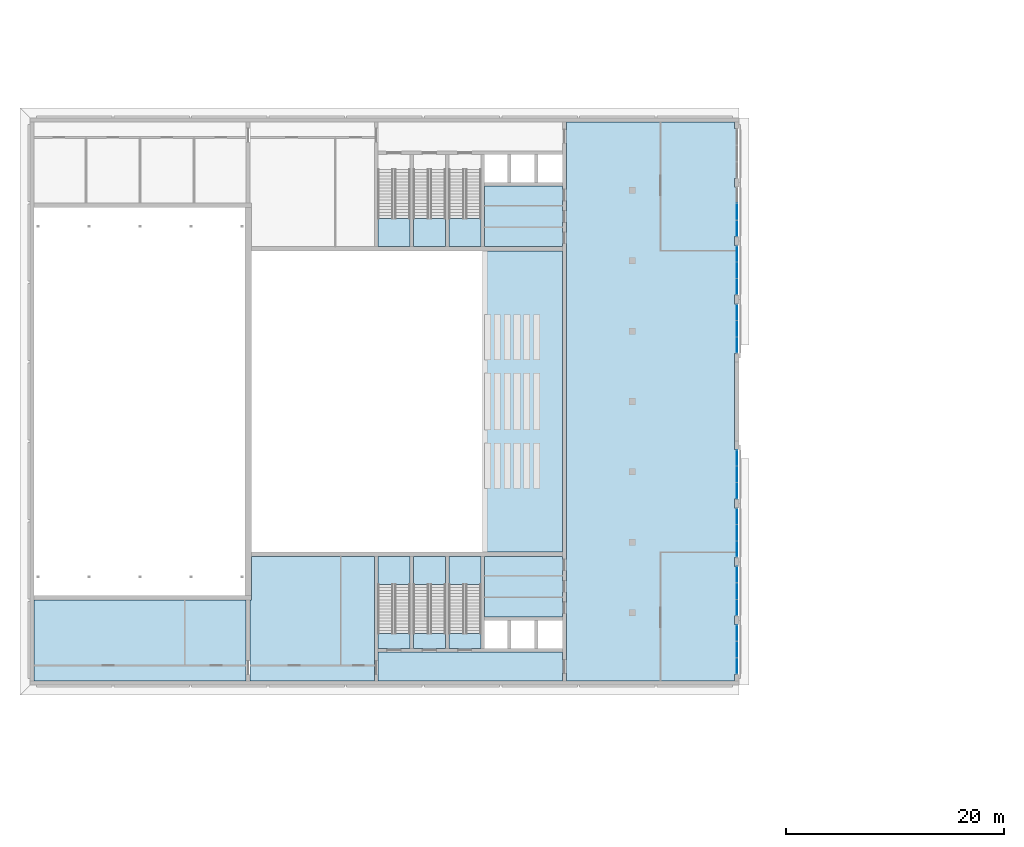
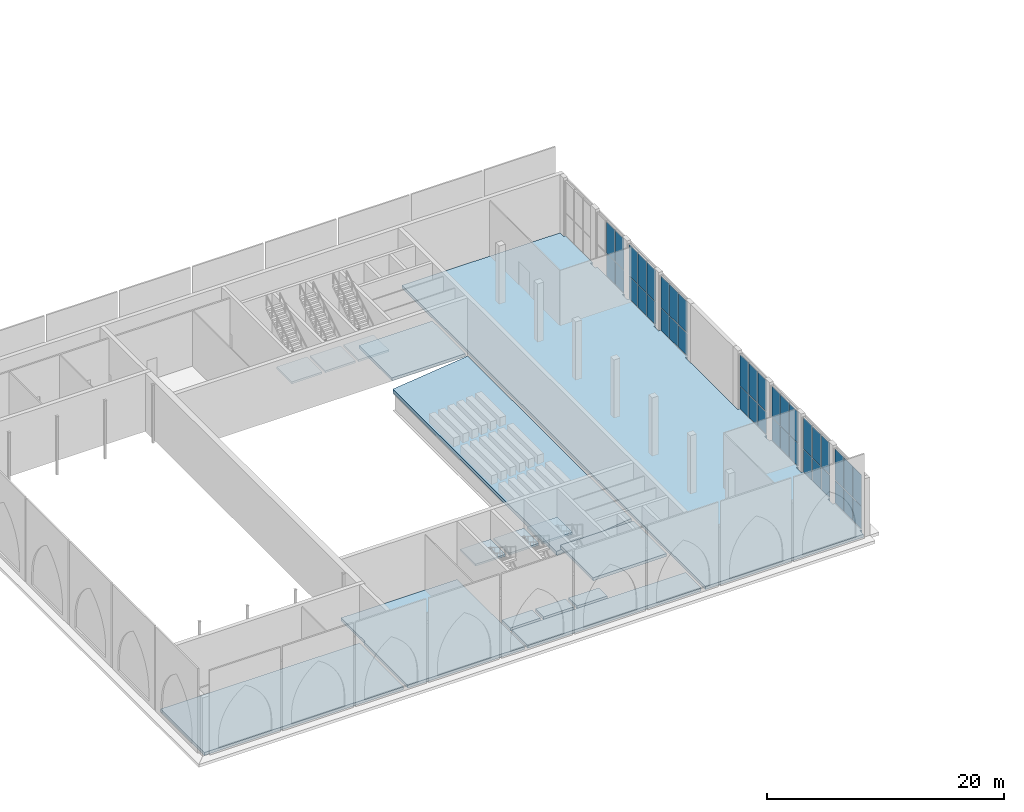
# One storey, part 14 of 74: 40 plates, 16 slabs, 13 elements without a shape of their own.
"""IFC4 building model written with IfcOpenShell, lengths in metres."""

from ifc_helpers import new_model, si_unit, direction, frame, origin, origin_2d, place, context, subcontext, project, spatial, polyline, rectangle, outline, extrude, material, layer, layer_set, type_object, element, aggregate, save


model = new_model("IFC4")

# Units and contexts
model_context = context("Model", 3, precision=1e-05, world=origin(), true_north=direction((0.0, 1.0)))
body_context = subcontext(model_context, "Body", "Model", "MODEL_VIEW")
ifc_project = project(units=[si_unit("LENGTHUNIT", "METRE"), si_unit("AREAUNIT", "SQUARE_METRE"), si_unit("VOLUMEUNIT", "CUBIC_METRE"), si_unit("PLANEANGLEUNIT", "RADIAN"), si_unit("MASSUNIT", "GRAM", prefix="KILO")], contexts=[model_context])

# Site, building, storey
site_placement = place(None, origin())
site = spatial("IfcSite", under=ifc_project, at=site_placement, CompositionType="ELEMENT")
building_placement = place(site_placement, origin())
building = spatial("IfcBuilding", under=site, at=building_placement, Name="Noorbagh Ring Tower", CompositionType="ELEMENT")
storey_placement = place(building_placement, frame((0.0, 0.0, 13.5)))
storey = spatial("IfcBuildingStorey", under=building, at=storey_placement, Name="L02", CompositionType="ELEMENT", Elevation=13.5)

# Curtain wall, plates
ifc_material_1 = material(Name="Aluminium and glass", Category="aluminium")
ifc_layer_1 = layer(ifc_material_1, 0.199951171875)
ifc_layer_set_1 = layer_set([ifc_layer_1], Name="Aluminium and glass")
curtain_wall_type = type_object("IfcCurtainWallType", Name="TH-CW", PredefinedType="NOTDEFINED", material=ifc_layer_set_1)
curtain_wall_1_placement = place(storey_placement, origin())
curtain_wall_1 = element("IfcCurtainWall", 1, at=curtain_wall_1_placement, inside=storey, type_object=curtain_wall_type, Name="Foyer glazing", PredefinedType="NOTDEFINED")
ifc_material_2 = material(Name="Clear laminated glass", Category="glass")
ifc_layer_2 = layer(ifc_material_2, 0.028076171875)
ifc_layer_set_2 = layer_set([ifc_layer_2], Name="Clear laminated glass")
plate_type = type_object("IfcPlateType", Name="TH-CW-PANEL", PredefinedType="CURTAIN_PANEL", material=ifc_layer_set_2)
plate_1_placement = place(storey_placement, frame((-95.199951171875, -19.2265625, 0.06005859375), z_axis=(0.0, 0.0, 1.0), x_axis=(0.0, 1.0, 0.0)))
plate_1 = element("IfcPlate", 2, at=plate_1_placement, type_object=plate_type, Name="CW-T panel 1.1", PredefinedType="CURTAIN_PANEL", context=body_context, shape_type="SweptSolid", body=[
    extrude(rectangle(XDim=1.4267578125, YDim=0.028076171875, at=origin_2d()), origin(), (0.0, 0.0, 1.0), 2.31005859375),
])
plate_2_placement = place(storey_placement, frame((-95.199951171875, -19.2265625, 2.429931640625), z_axis=(0.0, 0.0, 1.0), x_axis=(0.0, 1.0, 0.0)))
plate_2 = element("IfcPlate", 3, at=plate_2_placement, type_object=plate_type, Name="CW-T panel 1.2", PredefinedType="CURTAIN_PANEL", context=body_context, shape_type="SweptSolid", body=[
    extrude(rectangle(XDim=1.4267578125, YDim=0.028076171875, at=origin_2d()), origin(), (0.0, 0.0, 1.0), 3.2099609375),
])
plate_3_placement = place(storey_placement, frame((-95.199951171875, -17.72509765625, 0.06005859375), z_axis=(0.0, 0.0, 1.0), x_axis=(0.0, 1.0, 0.0)))
plate_3 = element("IfcPlate", 4, at=plate_3_placement, type_object=plate_type, Name="CW-T panel 2.1", PredefinedType="CURTAIN_PANEL", context=body_context, shape_type="SweptSolid", body=[
    extrude(rectangle(XDim=1.456787109375, YDim=0.028076171875, at=origin_2d()), origin(), (0.0, 0.0, 1.0), 2.31005859375),
])
plate_4_placement = place(storey_placement, frame((-95.199951171875, -17.72509765625, 2.429931640625), z_axis=(0.0, 0.0, 1.0), x_axis=(0.0, 1.0, 0.0)))
plate_4 = element("IfcPlate", 5, at=plate_4_placement, type_object=plate_type, Name="CW-T panel 2.2", PredefinedType="CURTAIN_PANEL", context=body_context, shape_type="SweptSolid", body=[
    extrude(rectangle(XDim=1.456787109375, YDim=0.028076171875, at=origin_2d()), origin(), (0.0, 0.0, 1.0), 3.2099609375),
])
plate_5_placement = place(storey_placement, frame((-95.199951171875, -16.223388671875, 0.06005859375), z_axis=(0.0, 0.0, 1.0), x_axis=(0.0, 1.0, 0.0)))
plate_5 = element("IfcPlate", 6, at=plate_5_placement, type_object=plate_type, Name="CW-T panel 3.1", PredefinedType="CURTAIN_PANEL", context=body_context, shape_type="SweptSolid", body=[
    extrude(rectangle(XDim=1.4267578125, YDim=0.028076171875, at=origin_2d()), origin(), (0.0, 0.0, 1.0), 2.31005859375),
])
plate_6_placement = place(storey_placement, frame((-95.199951171875, -16.223388671875, 2.429931640625), z_axis=(0.0, 0.0, 1.0), x_axis=(0.0, 1.0, 0.0)))
plate_6 = element("IfcPlate", 7, at=plate_6_placement, type_object=plate_type, Name="CW-T panel 3.2", PredefinedType="CURTAIN_PANEL", context=body_context, shape_type="SweptSolid", body=[
    extrude(rectangle(XDim=1.4267578125, YDim=0.028076171875, at=origin_2d()), origin(), (0.0, 0.0, 1.0), 3.2099609375),
])
aggregate(curtain_wall_1, [plate_1, plate_2, plate_3, plate_4, plate_5, plate_6])

curtain_wall_2_placement = place(storey_placement, origin())
curtain_wall_2 = element("IfcCurtainWall", 8, at=curtain_wall_2_placement, inside=storey, type_object=curtain_wall_type, Name="Foyer glazing", PredefinedType="NOTDEFINED")
plate_7_placement = place(storey_placement, frame((-95.199951171875, -13.876708984375, 0.06005859375), z_axis=(0.0, 0.0, 1.0), x_axis=(0.0, 1.0, 0.0)))
plate_7 = element("IfcPlate", 9, at=plate_7_placement, type_object=plate_type, Name="CW-T panel 1.1", PredefinedType="CURTAIN_PANEL", context=body_context, shape_type="SweptSolid", body=[
    extrude(rectangle(XDim=1.4267578125, YDim=0.028076171875, at=origin_2d()), origin(), (0.0, 0.0, 1.0), 2.31005859375),
])
plate_8_placement = place(storey_placement, frame((-95.199951171875, -13.876708984375, 2.429931640625), z_axis=(0.0, 0.0, 1.0), x_axis=(0.0, 1.0, 0.0)))
plate_8 = element("IfcPlate", 10, at=plate_8_placement, type_object=plate_type, Name="CW-T panel 1.2", PredefinedType="CURTAIN_PANEL", context=body_context, shape_type="SweptSolid", body=[
    extrude(rectangle(XDim=1.4267578125, YDim=0.028076171875, at=origin_2d()), origin(), (0.0, 0.0, 1.0), 3.2099609375),
])
plate_9_placement = place(storey_placement, frame((-95.199951171875, -12.375, 0.06005859375), z_axis=(0.0, 0.0, 1.0), x_axis=(0.0, 1.0, 0.0)))
plate_9 = element("IfcPlate", 11, at=plate_9_placement, type_object=plate_type, Name="CW-T panel 2.1", PredefinedType="CURTAIN_PANEL", context=body_context, shape_type="SweptSolid", body=[
    extrude(rectangle(XDim=1.456787109375, YDim=0.028076171875, at=origin_2d()), origin(), (0.0, 0.0, 1.0), 2.31005859375),
])
plate_10_placement = place(storey_placement, frame((-95.199951171875, -12.375, 2.429931640625), z_axis=(0.0, 0.0, 1.0), x_axis=(0.0, 1.0, 0.0)))
plate_10 = element("IfcPlate", 12, at=plate_10_placement, type_object=plate_type, Name="CW-T panel 2.2", PredefinedType="CURTAIN_PANEL", context=body_context, shape_type="SweptSolid", body=[
    extrude(rectangle(XDim=1.456787109375, YDim=0.028076171875, at=origin_2d()), origin(), (0.0, 0.0, 1.0), 3.2099609375),
])
plate_11_placement = place(storey_placement, frame((-95.199951171875, -10.873291015625, 0.06005859375), z_axis=(0.0, 0.0, 1.0), x_axis=(0.0, 1.0, 0.0)))
plate_11 = element("IfcPlate", 13, at=plate_11_placement, type_object=plate_type, Name="CW-T panel 3.1", PredefinedType="CURTAIN_PANEL", context=body_context, shape_type="SweptSolid", body=[
    extrude(rectangle(XDim=1.4267578125, YDim=0.028076171875, at=origin_2d()), origin(), (0.0, 0.0, 1.0), 2.31005859375),
])
plate_12_placement = place(storey_placement, frame((-95.199951171875, -10.873291015625, 2.429931640625), z_axis=(0.0, 0.0, 1.0), x_axis=(0.0, 1.0, 0.0)))
plate_12 = element("IfcPlate", 14, at=plate_12_placement, type_object=plate_type, Name="CW-T panel 3.2", PredefinedType="CURTAIN_PANEL", context=body_context, shape_type="SweptSolid", body=[
    extrude(rectangle(XDim=1.4267578125, YDim=0.028076171875, at=origin_2d()), origin(), (0.0, 0.0, 1.0), 3.2099609375),
])
aggregate(curtain_wall_2, [plate_7, plate_8, plate_9, plate_10, plate_11, plate_12])

curtain_wall_3_placement = place(storey_placement, origin())
curtain_wall_3 = element("IfcCurtainWall", 15, at=curtain_wall_3_placement, inside=storey, type_object=curtain_wall_type, Name="Foyer glazing", PredefinedType="NOTDEFINED")
plate_13_placement = place(storey_placement, frame((-95.199951171875, -8.526611328125, 0.06005859375), z_axis=(0.0, 0.0, 1.0), x_axis=(0.0, 1.0, 0.0)))
plate_13 = element("IfcPlate", 16, at=plate_13_placement, type_object=plate_type, Name="CW-T panel 1.1", PredefinedType="CURTAIN_PANEL", context=body_context, shape_type="SweptSolid", body=[
    extrude(rectangle(XDim=1.4267578125, YDim=0.028076171875, at=origin_2d()), origin(), (0.0, 0.0, 1.0), 2.31005859375),
])
plate_14_placement = place(storey_placement, frame((-95.199951171875, -8.526611328125, 2.429931640625), z_axis=(0.0, 0.0, 1.0), x_axis=(0.0, 1.0, 0.0)))
plate_14 = element("IfcPlate", 17, at=plate_14_placement, type_object=plate_type, Name="CW-T panel 1.2", PredefinedType="CURTAIN_PANEL", context=body_context, shape_type="SweptSolid", body=[
    extrude(rectangle(XDim=1.4267578125, YDim=0.028076171875, at=origin_2d()), origin(), (0.0, 0.0, 1.0), 3.2099609375),
])
plate_15_placement = place(storey_placement, frame((-95.199951171875, -7.02490234375, 0.06005859375), z_axis=(0.0, 0.0, 1.0), x_axis=(0.0, 1.0, 0.0)))
plate_15 = element("IfcPlate", 18, at=plate_15_placement, type_object=plate_type, Name="CW-T panel 2.1", PredefinedType="CURTAIN_PANEL", context=body_context, shape_type="SweptSolid", body=[
    extrude(rectangle(XDim=1.456787109375, YDim=0.028076171875, at=origin_2d()), origin(), (0.0, 0.0, 1.0), 2.31005859375),
])
plate_16_placement = place(storey_placement, frame((-95.199951171875, -7.02490234375, 2.429931640625), z_axis=(0.0, 0.0, 1.0), x_axis=(0.0, 1.0, 0.0)))
plate_16 = element("IfcPlate", 19, at=plate_16_placement, type_object=plate_type, Name="CW-T panel 2.2", PredefinedType="CURTAIN_PANEL", context=body_context, shape_type="SweptSolid", body=[
    extrude(rectangle(XDim=1.456787109375, YDim=0.028076171875, at=origin_2d()), origin(), (0.0, 0.0, 1.0), 3.2099609375),
])
plate_17_placement = place(storey_placement, frame((-95.199951171875, -5.5234375, 0.06005859375), z_axis=(0.0, 0.0, 1.0), x_axis=(0.0, 1.0, 0.0)))
plate_17 = element("IfcPlate", 20, at=plate_17_placement, type_object=plate_type, Name="CW-T panel 3.1", PredefinedType="CURTAIN_PANEL", context=body_context, shape_type="SweptSolid", body=[
    extrude(rectangle(XDim=1.4267578125, YDim=0.028076171875, at=origin_2d()), origin(), (0.0, 0.0, 1.0), 2.31005859375),
])
plate_18_placement = place(storey_placement, frame((-95.199951171875, -5.5234375, 2.429931640625), z_axis=(0.0, 0.0, 1.0), x_axis=(0.0, 1.0, 0.0)))
plate_18 = element("IfcPlate", 21, at=plate_18_placement, type_object=plate_type, Name="CW-T panel 3.2", PredefinedType="CURTAIN_PANEL", context=body_context, shape_type="SweptSolid", body=[
    extrude(rectangle(XDim=1.4267578125, YDim=0.028076171875, at=origin_2d()), origin(), (0.0, 0.0, 1.0), 3.2099609375),
])
aggregate(curtain_wall_3, [plate_13, plate_14, plate_15, plate_16, plate_17, plate_18])

curtain_wall_4_placement = place(storey_placement, origin())
curtain_wall_4 = element("IfcCurtainWall", 22, at=curtain_wall_4_placement, inside=storey, type_object=curtain_wall_type, Name="Foyer glazing", PredefinedType="NOTDEFINED")
plate_19_placement = place(storey_placement, frame((-95.199951171875, -3.1767578125, 0.06005859375), z_axis=(0.0, 0.0, 1.0), x_axis=(0.0, 1.0, 0.0)))
plate_19 = element("IfcPlate", 23, at=plate_19_placement, type_object=plate_type, Name="CW-T panel 1.1", PredefinedType="CURTAIN_PANEL", context=body_context, shape_type="SweptSolid", body=[
    extrude(rectangle(XDim=1.4267578125, YDim=0.028076171875, at=origin_2d()), origin(), (0.0, 0.0, 1.0), 2.31005859375),
])
plate_20_placement = place(storey_placement, frame((-95.199951171875, -3.1767578125, 2.429931640625), z_axis=(0.0, 0.0, 1.0), x_axis=(0.0, 1.0, 0.0)))
plate_20 = element("IfcPlate", 24, at=plate_20_placement, type_object=plate_type, Name="CW-T panel 1.2", PredefinedType="CURTAIN_PANEL", context=body_context, shape_type="SweptSolid", body=[
    extrude(rectangle(XDim=1.4267578125, YDim=0.028076171875, at=origin_2d()), origin(), (0.0, 0.0, 1.0), 3.2099609375),
])
plate_21_placement = place(storey_placement, frame((-95.199951171875, -1.675048828125, 0.06005859375), z_axis=(0.0, 0.0, 1.0), x_axis=(0.0, 1.0, 0.0)))
plate_21 = element("IfcPlate", 25, at=plate_21_placement, type_object=plate_type, Name="CW-T panel 2.1", PredefinedType="CURTAIN_PANEL", context=body_context, shape_type="SweptSolid", body=[
    extrude(rectangle(XDim=1.456787109375, YDim=0.028076171875, at=origin_2d()), origin(), (0.0, 0.0, 1.0), 2.31005859375),
])
plate_22_placement = place(storey_placement, frame((-95.199951171875, -1.675048828125, 2.429931640625), z_axis=(0.0, 0.0, 1.0), x_axis=(0.0, 1.0, 0.0)))
plate_22 = element("IfcPlate", 26, at=plate_22_placement, type_object=plate_type, Name="CW-T panel 2.2", PredefinedType="CURTAIN_PANEL", context=body_context, shape_type="SweptSolid", body=[
    extrude(rectangle(XDim=1.456787109375, YDim=0.028076171875, at=origin_2d()), origin(), (0.0, 0.0, 1.0), 3.2099609375),
])
plate_23_placement = place(storey_placement, frame((-95.199951171875, -0.17333984375, 0.06005859375), z_axis=(0.0, 0.0, 1.0), x_axis=(0.0, 1.0, 0.0)))
plate_23 = element("IfcPlate", 27, at=plate_23_placement, type_object=plate_type, Name="CW-T panel 3.1", PredefinedType="CURTAIN_PANEL", context=body_context, shape_type="SweptSolid", body=[
    extrude(rectangle(XDim=1.4267578125, YDim=0.028076171875, at=origin_2d()), origin(), (0.0, 0.0, 1.0), 2.31005859375),
])
plate_24_placement = place(storey_placement, frame((-95.199951171875, -0.17333984375, 2.429931640625), z_axis=(0.0, 0.0, 1.0), x_axis=(0.0, 1.0, 0.0)))
plate_24 = element("IfcPlate", 28, at=plate_24_placement, type_object=plate_type, Name="CW-T panel 3.2", PredefinedType="CURTAIN_PANEL", context=body_context, shape_type="SweptSolid", body=[
    extrude(rectangle(XDim=1.4267578125, YDim=0.028076171875, at=origin_2d()), origin(), (0.0, 0.0, 1.0), 3.2099609375),
])
aggregate(curtain_wall_4, [plate_19, plate_20, plate_21, plate_22, plate_23, plate_24])

curtain_wall_5_placement = place(storey_placement, origin())
curtain_wall_5 = element("IfcCurtainWall", 29, at=curtain_wall_5_placement, inside=storey, type_object=curtain_wall_type, Name="Foyer glazing", PredefinedType="NOTDEFINED")
plate_25_placement = place(storey_placement, frame((-95.199951171875, 10.17333984375, 0.06005859375), z_axis=(0.0, 0.0, 1.0), x_axis=(0.0, 1.0, 0.0)))
plate_25 = element("IfcPlate", 30, at=plate_25_placement, type_object=plate_type, Name="CW-T panel 1.1", PredefinedType="CURTAIN_PANEL", context=body_context, shape_type="SweptSolid", body=[
    extrude(rectangle(XDim=1.4267578125, YDim=0.028076171875, at=origin_2d()), origin(), (0.0, 0.0, 1.0), 2.31005859375),
])
plate_26_placement = place(storey_placement, frame((-95.199951171875, 10.17333984375, 2.429931640625), z_axis=(0.0, 0.0, 1.0), x_axis=(0.0, 1.0, 0.0)))
plate_26 = element("IfcPlate", 31, at=plate_26_placement, type_object=plate_type, Name="CW-T panel 1.2", PredefinedType="CURTAIN_PANEL", context=body_context, shape_type="SweptSolid", body=[
    extrude(rectangle(XDim=1.4267578125, YDim=0.028076171875, at=origin_2d()), origin(), (0.0, 0.0, 1.0), 3.2099609375),
])
plate_27_placement = place(storey_placement, frame((-95.199951171875, 11.675048828125, 0.06005859375), z_axis=(0.0, 0.0, 1.0), x_axis=(0.0, 1.0, 0.0)))
plate_27 = element("IfcPlate", 32, at=plate_27_placement, type_object=plate_type, Name="CW-T panel 2.1", PredefinedType="CURTAIN_PANEL", context=body_context, shape_type="SweptSolid", body=[
    extrude(rectangle(XDim=1.456787109375, YDim=0.028076171875, at=origin_2d()), origin(), (0.0, 0.0, 1.0), 2.31005859375),
])
plate_28_placement = place(storey_placement, frame((-95.199951171875, 11.675048828125, 2.429931640625), z_axis=(0.0, 0.0, 1.0), x_axis=(0.0, 1.0, 0.0)))
plate_28 = element("IfcPlate", 33, at=plate_28_placement, type_object=plate_type, Name="CW-T panel 2.2", PredefinedType="CURTAIN_PANEL", context=body_context, shape_type="SweptSolid", body=[
    extrude(rectangle(XDim=1.456787109375, YDim=0.028076171875, at=origin_2d()), origin(), (0.0, 0.0, 1.0), 3.2099609375),
])
plate_29_placement = place(storey_placement, frame((-95.199951171875, 13.1767578125, 0.06005859375), z_axis=(0.0, 0.0, 1.0), x_axis=(0.0, 1.0, 0.0)))
plate_29 = element("IfcPlate", 34, at=plate_29_placement, type_object=plate_type, Name="CW-T panel 3.1", PredefinedType="CURTAIN_PANEL", context=body_context, shape_type="SweptSolid", body=[
    extrude(rectangle(XDim=1.4267578125, YDim=0.028076171875, at=origin_2d()), origin(), (0.0, 0.0, 1.0), 2.31005859375),
])
plate_30_placement = place(storey_placement, frame((-95.199951171875, 13.1767578125, 2.429931640625), z_axis=(0.0, 0.0, 1.0), x_axis=(0.0, 1.0, 0.0)))
plate_30 = element("IfcPlate", 35, at=plate_30_placement, type_object=plate_type, Name="CW-T panel 3.2", PredefinedType="CURTAIN_PANEL", context=body_context, shape_type="SweptSolid", body=[
    extrude(rectangle(XDim=1.4267578125, YDim=0.028076171875, at=origin_2d()), origin(), (0.0, 0.0, 1.0), 3.2099609375),
])
aggregate(curtain_wall_5, [plate_25, plate_26, plate_27, plate_28, plate_29, plate_30])

curtain_wall_6_placement = place(storey_placement, origin())
curtain_wall_6 = element("IfcCurtainWall", 36, at=curtain_wall_6_placement, inside=storey, type_object=curtain_wall_type, Name="Foyer glazing", PredefinedType="NOTDEFINED")
plate_31_placement = place(storey_placement, frame((-95.199951171875, 15.5234375, 0.06005859375), z_axis=(0.0, 0.0, 1.0), x_axis=(0.0, 1.0, 0.0)))
plate_31 = element("IfcPlate", 37, at=plate_31_placement, type_object=plate_type, Name="CW-T panel 1.1", PredefinedType="CURTAIN_PANEL", context=body_context, shape_type="SweptSolid", body=[
    extrude(rectangle(XDim=1.4267578125, YDim=0.028076171875, at=origin_2d()), origin(), (0.0, 0.0, 1.0), 2.31005859375),
])
plate_32_placement = place(storey_placement, frame((-95.199951171875, 15.5234375, 2.429931640625), z_axis=(0.0, 0.0, 1.0), x_axis=(0.0, 1.0, 0.0)))
plate_32 = element("IfcPlate", 38, at=plate_32_placement, type_object=plate_type, Name="CW-T panel 1.2", PredefinedType="CURTAIN_PANEL", context=body_context, shape_type="SweptSolid", body=[
    extrude(rectangle(XDim=1.4267578125, YDim=0.028076171875, at=origin_2d()), origin(), (0.0, 0.0, 1.0), 3.2099609375),
])
plate_33_placement = place(storey_placement, frame((-95.199951171875, 17.02490234375, 0.06005859375), z_axis=(0.0, 0.0, 1.0), x_axis=(0.0, 1.0, 0.0)))
plate_33 = element("IfcPlate", 39, at=plate_33_placement, type_object=plate_type, Name="CW-T panel 2.1", PredefinedType="CURTAIN_PANEL", context=body_context, shape_type="SweptSolid", body=[
    extrude(rectangle(XDim=1.456787109375, YDim=0.028076171875, at=origin_2d()), origin(), (0.0, 0.0, 1.0), 2.31005859375),
])
plate_34_placement = place(storey_placement, frame((-95.199951171875, 17.02490234375, 2.429931640625), z_axis=(0.0, 0.0, 1.0), x_axis=(0.0, 1.0, 0.0)))
plate_34 = element("IfcPlate", 40, at=plate_34_placement, type_object=plate_type, Name="CW-T panel 2.2", PredefinedType="CURTAIN_PANEL", context=body_context, shape_type="SweptSolid", body=[
    extrude(rectangle(XDim=1.456787109375, YDim=0.028076171875, at=origin_2d()), origin(), (0.0, 0.0, 1.0), 3.2099609375),
])
plate_35_placement = place(storey_placement, frame((-95.199951171875, 18.526611328125, 0.06005859375), z_axis=(0.0, 0.0, 1.0), x_axis=(0.0, 1.0, 0.0)))
plate_35 = element("IfcPlate", 41, at=plate_35_placement, type_object=plate_type, Name="CW-T panel 3.1", PredefinedType="CURTAIN_PANEL", context=body_context, shape_type="SweptSolid", body=[
    extrude(rectangle(XDim=1.4267578125, YDim=0.028076171875, at=origin_2d()), origin(), (0.0, 0.0, 1.0), 2.31005859375),
])
plate_36_placement = place(storey_placement, frame((-95.199951171875, 18.526611328125, 2.429931640625), z_axis=(0.0, 0.0, 1.0), x_axis=(0.0, 1.0, 0.0)))
plate_36 = element("IfcPlate", 42, at=plate_36_placement, type_object=plate_type, Name="CW-T panel 3.2", PredefinedType="CURTAIN_PANEL", context=body_context, shape_type="SweptSolid", body=[
    extrude(rectangle(XDim=1.4267578125, YDim=0.028076171875, at=origin_2d()), origin(), (0.0, 0.0, 1.0), 3.2099609375),
])
aggregate(curtain_wall_6, [plate_31, plate_32, plate_33, plate_34, plate_35, plate_36])

curtain_wall_7_placement = place(storey_placement, origin())
curtain_wall_7 = element("IfcCurtainWall", 43, at=curtain_wall_7_placement, inside=storey, type_object=curtain_wall_type, Name="Foyer glazing", PredefinedType="NOTDEFINED")
plate_37_placement = place(storey_placement, frame((-95.199951171875, 20.873291015625, 0.06005859375), z_axis=(0.0, 0.0, 1.0), x_axis=(0.0, 1.0, 0.0)))
plate_37 = element("IfcPlate", 44, at=plate_37_placement, type_object=plate_type, Name="CW-T panel 1.1", PredefinedType="CURTAIN_PANEL", context=body_context, shape_type="SweptSolid", body=[
    extrude(rectangle(XDim=1.4267578125, YDim=0.028076171875, at=origin_2d()), origin(), (0.0, 0.0, 1.0), 2.31005859375),
])
plate_38_placement = place(storey_placement, frame((-95.199951171875, 20.873291015625, 2.429931640625), z_axis=(0.0, 0.0, 1.0), x_axis=(0.0, 1.0, 0.0)))
plate_38 = element("IfcPlate", 45, at=plate_38_placement, type_object=plate_type, Name="CW-T panel 1.2", PredefinedType="CURTAIN_PANEL", context=body_context, shape_type="SweptSolid", body=[
    extrude(rectangle(XDim=1.4267578125, YDim=0.028076171875, at=origin_2d()), origin(), (0.0, 0.0, 1.0), 3.2099609375),
])
plate_39_placement = place(storey_placement, frame((-95.199951171875, 22.375, 0.06005859375), z_axis=(0.0, 0.0, 1.0), x_axis=(0.0, 1.0, 0.0)))
plate_39 = element("IfcPlate", 46, at=plate_39_placement, type_object=plate_type, Name="CW-T panel 2.1", PredefinedType="CURTAIN_PANEL", context=body_context, shape_type="SweptSolid", body=[
    extrude(rectangle(XDim=1.456787109375, YDim=0.028076171875, at=origin_2d()), origin(), (0.0, 0.0, 1.0), 2.31005859375),
])
plate_40_placement = place(storey_placement, frame((-95.199951171875, 22.375, 2.429931640625), z_axis=(0.0, 0.0, 1.0), x_axis=(0.0, 1.0, 0.0)))
plate_40 = element("IfcPlate", 47, at=plate_40_placement, type_object=plate_type, Name="CW-T panel 2.2", PredefinedType="CURTAIN_PANEL", context=body_context, shape_type="SweptSolid", body=[
    extrude(rectangle(XDim=1.456787109375, YDim=0.028076171875, at=origin_2d()), origin(), (0.0, 0.0, 1.0), 3.2099609375),
])
aggregate(curtain_wall_7, [plate_37, plate_38, plate_39, plate_40])

# Slabs
ifc_material_3 = material(Name="Concrete C40/50", Category="concrete")
ifc_layer_3 = layer(ifc_material_3, 0.300048828125)
ifc_layer_set_3 = layer_set([ifc_layer_3], Name="Concrete C40/50")
slab_type_1 = type_object("IfcSlabType", Name="TH-SLAB-FLOOR", PredefinedType="FLOOR", material=ifc_layer_set_3)
slab_1_placement = place(storey_placement, frame((0.0, 0.0, -0.300048828125)))
element("IfcSlab", 48, at=slab_1_placement, inside=storey, type_object=slab_type_1, Name="Floor slab", PredefinedType="FLOOR", context=body_context, shape_type="SweptSolid", body=[
    extrude(outline(polyline([(-140.199951171875, -20.60009765625), (-140.199951171875, -13.199951171875), (-159.60009765625, -13.199951171875), (-159.60009765625, -20.60009765625), (-140.199951171875, -20.60009765625)])), origin(), (0.0, 0.0, 1.0), 0.300048828125),
])
slab_2_placement = place(storey_placement, frame((0.0, 0.0, -0.300048828125)))
element("IfcSlab", 49, at=slab_2_placement, inside=storey, type_object=slab_type_1, Name="Floor slab", PredefinedType="FLOOR", context=body_context, shape_type="SweptSolid", body=[
    extrude(outline(polyline([(-128.39990234375, -20.60009765625), (-128.39990234375, -9.199951171875), (-139.699951171875, -9.199951171875), (-139.699951171875, -12.800048828125), (-139.699951171875, -13.199951171875), (-139.800048828125, -13.199951171875), (-139.800048828125, -20.60009765625), (-128.39990234375, -20.60009765625)])), origin(), (0.0, 0.0, 1.0), 0.300048828125),
])
slab_3_placement = place(storey_placement, frame((0.0, 0.0, -0.300048828125)))
element("IfcSlab", 50, at=slab_3_placement, inside=storey, type_object=slab_type_1, Name="Floor slab", PredefinedType="FLOOR", context=body_context, shape_type="SweptSolid", body=[
    extrude(outline(polyline([(-125.14990234375, -17.64990234375), (-125.14990234375, -16.24951171875), (-128.10009765625, -16.24951171875), (-128.10009765625, -17.64990234375), (-125.14990234375, -17.64990234375)])), origin(), (0.0, 0.0, 1.0), 0.300048828125),
])
slab_4_placement = place(storey_placement, frame((0.0, 0.0, -0.300048828125)))
element("IfcSlab", 51, at=slab_4_placement, inside=storey, type_object=slab_type_1, Name="Floor slab", PredefinedType="FLOOR", context=body_context, shape_type="SweptSolid", body=[
    extrude(outline(polyline([(-121.89990234375, -17.64990234375), (-121.89990234375, -16.24951171875), (-124.85009765625, -16.24951171875), (-124.85009765625, -17.64990234375), (-121.89990234375, -17.64990234375)])), origin(), (0.0, 0.0, 1.0), 0.300048828125),
])
slab_5_placement = place(storey_placement, frame((0.0, 0.0, -0.300048828125)))
element("IfcSlab", 52, at=slab_5_placement, inside=storey, type_object=slab_type_1, Name="Floor slab", PredefinedType="FLOOR", context=body_context, shape_type="SweptSolid", body=[
    extrude(outline(polyline([(-118.64990234375, -16.24951171875), (-121.60009765625, -16.24951171875), (-121.60009765625, -17.64990234375), (-118.64990234375, -17.64990234375), (-118.64990234375, -16.24951171875)])), origin(), (0.0, 0.0, 1.0), 0.300048828125),
])
slab_6_placement = place(storey_placement, frame((0.0, 0.0, -0.300048828125)))
element("IfcSlab", 53, at=slab_6_placement, inside=storey, type_object=slab_type_1, Name="Floor slab", PredefinedType="FLOOR", context=body_context, shape_type="SweptSolid", body=[
    extrude(outline(polyline([(-111.199951171875, -20.60009765625), (-111.199951171875, -17.949951171875), (-128.10009765625, -17.949951171875), (-128.10009765625, -20.60009765625), (-111.199951171875, -20.60009765625)])), origin(), (0.0, 0.0, 1.0), 0.300048828125),
])
slab_7_placement = place(storey_placement, frame((0.0, 0.0, -0.300048828125)))
element("IfcSlab", 54, at=slab_7_placement, inside=storey, type_object=slab_type_1, Name="Floor slab", PredefinedType="FLOOR", context=body_context, shape_type="SweptSolid", body=[
    extrude(outline(polyline([(-111.199951171875, -14.75), (-111.199951171875, -9.199951171875), (-118.35009765625, -9.199951171875), (-118.35009765625, -14.75), (-111.199951171875, -14.75)])), origin(), (0.0, 0.0, 1.0), 0.300048828125),
])
slab_8_placement = place(storey_placement, frame((0.0, 0.0, -0.300048828125)))
element("IfcSlab", 55, at=slab_8_placement, inside=storey, type_object=slab_type_1, Name="Floor slab", PredefinedType="FLOOR", context=body_context, shape_type="SweptSolid", body=[
    extrude(outline(polyline([(-118.35009765625, 24.75), (-118.35009765625, 19.199951171875), (-111.199951171875, 19.199951171875), (-111.199951171875, 24.75), (-118.35009765625, 24.75)])), origin(), (0.0, 0.0, 1.0), 0.300048828125),
])
slab_9_placement = place(storey_placement, frame((0.0, 0.0, -0.300048828125)))
element("IfcSlab", 56, at=slab_9_placement, inside=storey, type_object=slab_type_1, Name="Floor slab", PredefinedType="FLOOR", context=body_context, shape_type="SweptSolid", body=[
    extrude(outline(polyline([(-95.39990234375, 20.10009765625), (-95.199951171875, 20.10009765625), (-95.199951171875, 24.64990234375), (-95.39990234375, 24.64990234375), (-95.39990234375, 25.449951171875), (-95.199951171875, 25.449951171875), (-95.199951171875, 30.0), (-95.39990234375, 30.0), (-95.39990234375, 30.60009765625), (-110.800048828125, 30.60009765625), (-110.800048828125, -20.60009765625), (-95.39990234375, -20.60009765625), (-95.39990234375, -20.0), (-95.199951171875, -20.0), (-95.199951171875, -15.449951171875), (-95.39990234375, -15.449951171875), (-95.39990234375, -14.64990234375), (-95.199951171875, -14.64990234375), (-95.199951171875, -10.10009765625), (-95.39990234375, -10.10009765625), (-95.39990234375, -9.300048828125), (-95.199951171875, -9.300048828125), (-95.199951171875, -4.75), (-95.39990234375, -4.75), (-95.39990234375, -3.949951171875), (-95.199951171875, -3.949951171875), (-95.199951171875, 0.60009765625), (-95.39990234375, 0.60009765625), (-95.39990234375, 1.39990234375), (-95.39990234375, 8.60009765625), (-95.39990234375, 9.39990234375), (-95.199951171875, 9.39990234375), (-95.199951171875, 13.949951171875), (-95.39990234375, 13.949951171875), (-95.39990234375, 14.75), (-95.199951171875, 14.75), (-95.199951171875, 19.300048828125), (-95.39990234375, 19.300048828125), (-95.39990234375, 20.10009765625)])), origin(), (0.0, 0.0, 1.0), 0.300048828125),
])
ifc_material_4 = material(Name="Concrete C50/60", Category="concrete")
ifc_layer_4 = layer(ifc_material_4, 0.449951171875)
ifc_layer_set_4 = layer_set([ifc_layer_4], Name="Concrete C50/60")
slab_type_2 = type_object("IfcSlabType", Name="TH-SLAB-STAGE", PredefinedType="FLOOR", material=ifc_layer_set_4)
slab_10_placement = place(storey_placement, frame((-118.5, -8.800048828125, -0.8515625), z_axis=(-0.115865951976, 0.0, 0.993264859528), x_axis=(0.993264859528, 0.0, 0.115865951976)))
element("IfcSlab", 57, at=slab_10_placement, inside=storey, type_object=slab_type_2, Name="Balcony raked slab", PredefinedType="FLOOR", context=body_context, shape_type="SweptSolid", body=[
    extrude(outline(polyline([(0.0, 0.0), (7.349549073542909, 0.0), (7.349549073542909, 27.60009765625), (0.0, 27.60009765625), (0.0, 0.0)])), origin(), (0.0, 0.0, -1.0), 0.449951171875),
])

# Stair, slab
ifc_material_5 = material(Name="Concrete C40/50", Category="concrete")
stair_type = type_object("IfcStairType", Name="TH-STAIR", PredefinedType="HALF_TURN_STAIR", material=ifc_material_5)
stair_1_placement = place(storey_placement, origin())
stair_1 = element("IfcStair", 58, at=stair_1_placement, inside=storey, type_object=stair_type, Name="L02 Exit stair S1", PredefinedType="HALF_TURN_STAIR")
ifc_material_6 = material(Name="Concrete C40/50", Category="concrete")
ifc_layer_5 = layer(ifc_material_6, 0.199951171875)
ifc_layer_set_5 = layer_set([ifc_layer_5], Name="Concrete C40/50")
slab_type_3 = type_object("IfcSlabType", Name="TH-STAIR-LANDING", PredefinedType="LANDING", material=ifc_layer_set_5)
slab_11_placement = place(storey_placement, frame((0.0, 0.0, 2.800048828125)))
slab_11 = element("IfcSlab", 59, at=slab_11_placement, type_object=slab_type_3, Name="TSS1 landing 1", PredefinedType="LANDING", context=body_context, shape_type="SweptSolid", body=[
    extrude(outline(polyline([(-121.89990234375, -11.77001953125), (-121.89990234375, -9.199951171875), (-124.85009765625, -9.199951171875), (-124.85009765625, -11.77001953125), (-121.89990234375, -11.77001953125)])), origin(), (0.0, 0.0, 1.0), 0.199951171875),
])
aggregate(stair_1, [slab_11])

stair_2_placement = place(storey_placement, origin())
stair_2 = element("IfcStair", 60, at=stair_2_placement, inside=storey, type_object=stair_type, Name="L02 Exit stair S2", PredefinedType="HALF_TURN_STAIR")
slab_12_placement = place(storey_placement, frame((0.0, 0.0, 2.800048828125)))
slab_12 = element("IfcSlab", 61, at=slab_12_placement, type_object=slab_type_3, Name="TSS2 landing 1", PredefinedType="LANDING", context=body_context, shape_type="SweptSolid", body=[
    extrude(outline(polyline([(-118.64990234375, -11.77001953125), (-118.64990234375, -9.199951171875), (-121.60009765625, -9.199951171875), (-121.60009765625, -11.77001953125), (-118.64990234375, -11.77001953125)])), origin(), (0.0, 0.0, 1.0), 0.199951171875),
])
aggregate(stair_2, [slab_12])

stair_3_placement = place(storey_placement, origin())
stair_3 = element("IfcStair", 62, at=stair_3_placement, inside=storey, type_object=stair_type, Name="L02 Exit stair S3", PredefinedType="HALF_TURN_STAIR")
slab_13_placement = place(storey_placement, frame((0.0, 0.0, 2.800048828125)))
slab_13 = element("IfcSlab", 63, at=slab_13_placement, type_object=slab_type_3, Name="TSS3 landing 1", PredefinedType="LANDING", context=body_context, shape_type="SweptSolid", body=[
    extrude(outline(polyline([(-125.14990234375, -11.77001953125), (-125.14990234375, -9.199951171875), (-128.10009765625, -9.199951171875), (-128.10009765625, -11.77001953125), (-125.14990234375, -11.77001953125)])), origin(), (0.0, 0.0, 1.0), 0.199951171875),
])
aggregate(stair_3, [slab_13])

stair_4_placement = place(storey_placement, origin())
stair_4 = element("IfcStair", 64, at=stair_4_placement, inside=storey, type_object=stair_type, Name="L02 Exit stair N1", PredefinedType="HALF_TURN_STAIR")
slab_14_placement = place(storey_placement, frame((0.0, 0.0, 2.800048828125)))
slab_14 = element("IfcSlab", 65, at=slab_14_placement, type_object=slab_type_3, Name="TSN1 landing 1", PredefinedType="LANDING", context=body_context, shape_type="SweptSolid", body=[
    extrude(outline(polyline([(-124.85009765625, 21.77001953125), (-124.85009765625, 19.199951171875), (-121.89990234375, 19.199951171875), (-121.89990234375, 21.77001953125), (-124.85009765625, 21.77001953125)])), origin(), (0.0, 0.0, 1.0), 0.199951171875),
])
aggregate(stair_4, [slab_14])

stair_5_placement = place(storey_placement, origin())
stair_5 = element("IfcStair", 66, at=stair_5_placement, inside=storey, type_object=stair_type, Name="L02 Exit stair N2", PredefinedType="HALF_TURN_STAIR")
slab_15_placement = place(storey_placement, frame((0.0, 0.0, 2.800048828125)))
slab_15 = element("IfcSlab", 67, at=slab_15_placement, type_object=slab_type_3, Name="TSN2 landing 1", PredefinedType="LANDING", context=body_context, shape_type="SweptSolid", body=[
    extrude(outline(polyline([(-121.60009765625, 21.77001953125), (-121.60009765625, 19.199951171875), (-118.64990234375, 19.199951171875), (-118.64990234375, 21.77001953125), (-121.60009765625, 21.77001953125)])), origin(), (0.0, 0.0, 1.0), 0.199951171875),
])
aggregate(stair_5, [slab_15])

stair_6_placement = place(storey_placement, origin())
stair_6 = element("IfcStair", 68, at=stair_6_placement, inside=storey, type_object=stair_type, Name="L02 Exit stair N3", PredefinedType="HALF_TURN_STAIR")
slab_16_placement = place(storey_placement, frame((0.0, 0.0, 2.800048828125)))
slab_16 = element("IfcSlab", 69, at=slab_16_placement, type_object=slab_type_3, Name="TSN3 landing 1", PredefinedType="LANDING", context=body_context, shape_type="SweptSolid", body=[
    extrude(outline(polyline([(-128.10009765625, 21.77001953125), (-128.10009765625, 19.199951171875), (-125.14990234375, 19.199951171875), (-125.14990234375, 21.77001953125), (-128.10009765625, 21.77001953125)])), origin(), (0.0, 0.0, 1.0), 0.199951171875),
])
aggregate(stair_6, [slab_16])

save(model, "model.ifc")
